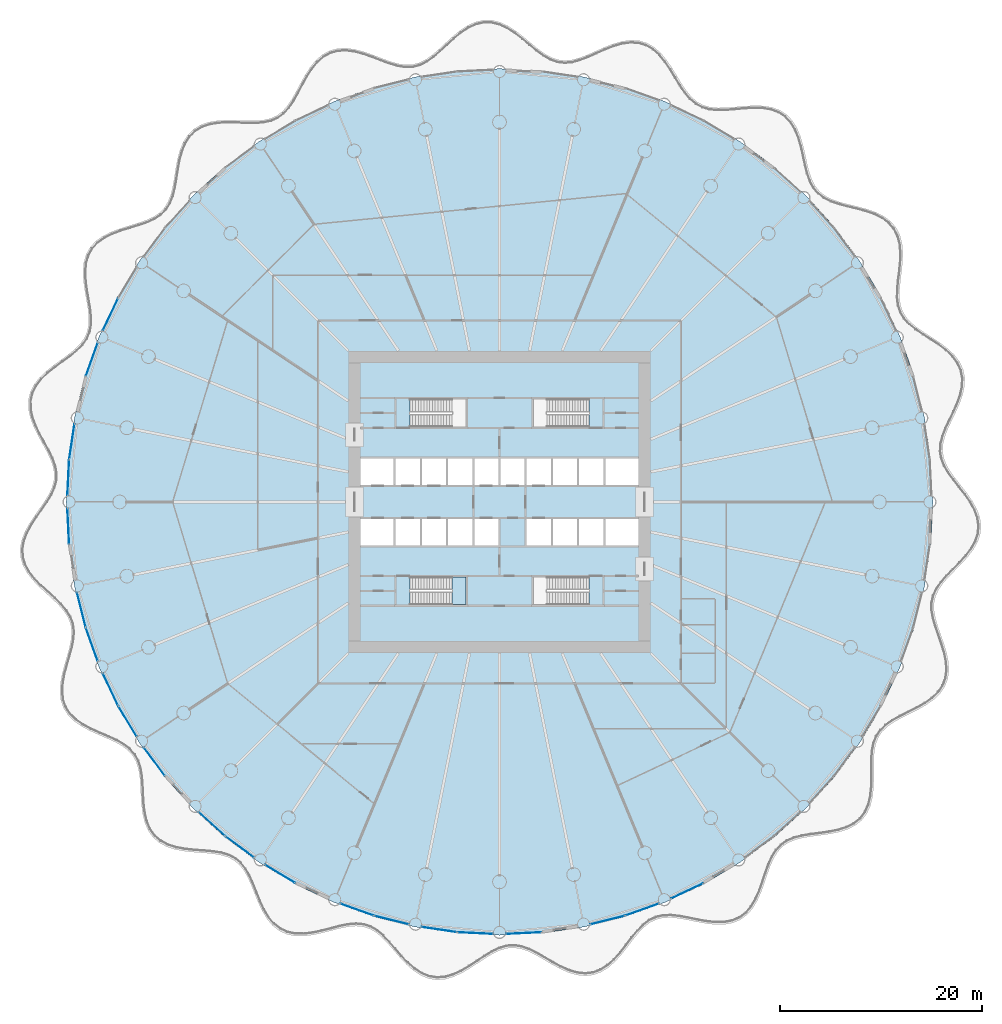
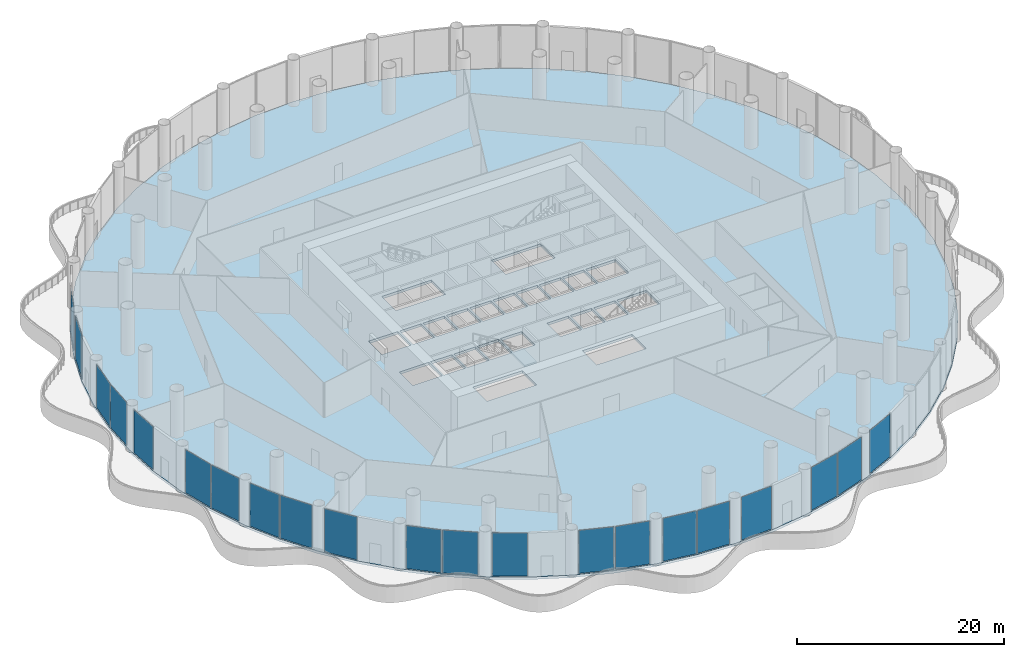
# One storey, part 20 of 37: 21 plates, 2 slabs, 22 elements without a shape of their own.
"""IFC4 building model written with IfcOpenShell, lengths in metres."""

from ifc_helpers import new_model, si_unit, direction, frame, origin, origin_2d, place, context, subcontext, project, spatial, polyline, rectangle, outline, extrude, material, layer, layer_set, type_object, element, aggregate, save


model = new_model("IFC4")

# Units and contexts
model_context = context("Model", 3, precision=1e-05, world=origin(), true_north=direction((0.0, 1.0)))
body_context = subcontext(model_context, "Body", "Model", "MODEL_VIEW")
ifc_project = project(units=[si_unit("LENGTHUNIT", "METRE"), si_unit("AREAUNIT", "SQUARE_METRE"), si_unit("VOLUMEUNIT", "CUBIC_METRE"), si_unit("PLANEANGLEUNIT", "RADIAN"), si_unit("MASSUNIT", "GRAM", prefix="KILO")], contexts=[model_context])

# Site, building, storey
site_placement = place(None, origin())
site = spatial("IfcSite", under=ifc_project, at=site_placement, CompositionType="ELEMENT")
building_placement = place(site_placement, origin())
building = spatial("IfcBuilding", under=site, at=building_placement, Name="Corvane Civic Tower", CompositionType="ELEMENT")
storey_placement = place(building_placement, frame((0.0, 0.0, 11.5)))
storey = spatial("IfcBuildingStorey", under=building, at=storey_placement, Name="L02", CompositionType="ELEMENT", Elevation=11.5)

# Slab
ifc_material_1 = material(Name="Concrete C40/50", Category="concrete")
ifc_layer_1 = layer(ifc_material_1, 0.300048828125)
ifc_layer_set_1 = layer_set([ifc_layer_1], Name="Concrete C40/50")
slab_type_1 = type_object("IfcSlabType", Name="FLOOR SLAB 300", PredefinedType="FLOOR", material=ifc_layer_set_1)
slab_1_placement = place(storey_placement, frame((0.0, 0.0, -0.300048828125)))
element("IfcSlab", 1, at=slab_1_placement, inside=storey, type_object=slab_type_1, Name="SLB-L02", PredefinedType="FLOOR", context=body_context, shape_type="SweptSolid", body=[
    extrude(outline(polyline([(0.0, 43.0), (-4.21484375, 42.79296875), (-8.388916015625, 42.173828125), (-12.482177734375, 41.1484375), (-16.455322265625, 39.726806640625), (-20.27001953125, 37.922607421875), (-23.889404296875, 35.753173828125), (-27.27880859375, 33.239501953125), (-30.405517578125, 30.405517578125), (-33.239501953125, 27.27880859375), (-35.753173828125, 23.889404296875), (-37.922607421875, 20.27001953125), (-39.726806640625, 16.455322265625), (-41.1484375, 12.482177734375), (-42.173828125, 8.388916015625), (-42.79296875, 4.21484375), (-43.0, 0.0), (-42.79296875, -4.21484375), (-42.173828125, -8.388916015625), (-41.1484375, -12.482177734375), (-39.726806640625, -16.455322265625), (-37.922607421875, -20.27001953125), (-35.753173828125, -23.889404296875), (-33.239501953125, -27.27880859375), (-30.405517578125, -30.405517578125), (-27.27880859375, -33.239501953125), (-23.889404296875, -35.753173828125), (-20.27001953125, -37.922607421875), (-16.455322265625, -39.726806640625), (-12.482177734375, -41.1484375), (-8.388916015625, -42.173828125), (-4.21484375, -42.79296875), (0.0, -43.0), (4.21484375, -42.79296875), (8.388916015625, -42.173828125), (12.482177734375, -41.1484375), (16.455322265625, -39.726806640625), (20.27001953125, -37.922607421875), (23.889404296875, -35.753173828125), (27.27880859375, -33.239501953125), (30.405517578125, -30.405517578125), (33.239501953125, -27.27880859375), (35.753173828125, -23.889404296875), (37.922607421875, -20.27001953125), (39.726806640625, -16.455322265625), (41.1484375, -12.482177734375), (42.173828125, -8.388916015625), (42.79296875, -4.21484375), (43.0, 0.0), (42.79296875, 4.21484375), (42.173828125, 8.388916015625), (41.1484375, 12.482177734375), (39.726806640625, 16.455322265625), (37.922607421875, 20.27001953125), (35.753173828125, 23.889404296875), (33.239501953125, 27.27880859375), (30.405517578125, 30.405517578125), (27.27880859375, 33.239501953125), (23.889404296875, 35.753173828125), (20.27001953125, 37.922607421875), (16.455322265625, 39.726806640625), (12.482177734375, 41.1484375), (8.388916015625, 42.173828125), (4.21484375, 42.79296875), (0.0, 43.0)]), holes=[polyline([(-13.800048828125, 4.300048828125), (-10.5, 4.300048828125), (-10.5, 1.699951171875), (-13.800048828125, 1.699951171875), (-13.800048828125, 4.300048828125)]), polyline([(-7.89990234375, 1.699951171875), (-10.300048828125, 1.699951171875), (-10.300048828125, 4.300048828125), (-7.89990234375, 4.300048828125), (-7.89990234375, 1.699951171875)]), polyline([(-7.699951171875, 4.300048828125), (-5.300048828125, 4.300048828125), (-5.300048828125, 1.699951171875), (-7.699951171875, 1.699951171875), (-7.699951171875, 4.300048828125)]), polyline([(-5.10009765625, 4.300048828125), (-2.699951171875, 4.300048828125), (-2.699951171875, 1.699951171875), (-5.10009765625, 1.699951171875), (-5.10009765625, 4.300048828125)]), polyline([(-0.10009765625, 1.699951171875), (-2.5, 1.699951171875), (-2.5, 4.300048828125), (-0.10009765625, 4.300048828125), (-0.10009765625, 1.699951171875)]), polyline([(2.5, 1.699951171875), (0.10009765625, 1.699951171875), (0.10009765625, 4.300048828125), (2.5, 4.300048828125), (2.5, 1.699951171875)]), polyline([(5.10009765625, 1.699951171875), (2.699951171875, 1.699951171875), (2.699951171875, 4.300048828125), (5.10009765625, 4.300048828125), (5.10009765625, 1.699951171875)]), polyline([(5.300048828125, 4.300048828125), (7.699951171875, 4.300048828125), (7.699951171875, 1.699951171875), (5.300048828125, 1.699951171875), (5.300048828125, 4.300048828125)]), polyline([(7.89990234375, 4.300048828125), (10.300048828125, 4.300048828125), (10.300048828125, 1.699951171875), (7.89990234375, 1.699951171875), (7.89990234375, 4.300048828125)]), polyline([(13.800048828125, 1.699951171875), (10.5, 1.699951171875), (10.5, 4.300048828125), (13.800048828125, 4.300048828125), (13.800048828125, 1.699951171875)]), polyline([(-13.800048828125, -1.699951171875), (-10.5, -1.699951171875), (-10.5, -4.300048828125), (-13.800048828125, -4.300048828125), (-13.800048828125, -1.699951171875)]), polyline([(-7.89990234375, -1.699951171875), (-7.89990234375, -4.300048828125), (-10.300048828125, -4.300048828125), (-10.300048828125, -1.699951171875), (-7.89990234375, -1.699951171875)]), polyline([(-5.300048828125, -1.699951171875), (-5.300048828125, -4.300048828125), (-7.699951171875, -4.300048828125), (-7.699951171875, -1.699951171875), (-5.300048828125, -1.699951171875)]), polyline([(-2.699951171875, -1.699951171875), (-2.699951171875, -4.300048828125), (-5.10009765625, -4.300048828125), (-5.10009765625, -1.699951171875), (-2.699951171875, -1.699951171875)]), polyline([(-2.5, -4.300048828125), (-2.5, -1.699951171875), (-0.10009765625, -1.699951171875), (-0.10009765625, -4.300048828125), (-2.5, -4.300048828125)]), polyline([(5.10009765625, -1.699951171875), (5.10009765625, -4.300048828125), (2.699951171875, -4.300048828125), (2.699951171875, -1.699951171875), (5.10009765625, -1.699951171875)]), polyline([(7.699951171875, -1.699951171875), (7.699951171875, -4.300048828125), (5.300048828125, -4.300048828125), (5.300048828125, -1.699951171875), (7.699951171875, -1.699951171875)]), polyline([(10.300048828125, -1.699951171875), (10.300048828125, -4.300048828125), (7.89990234375, -4.300048828125), (7.89990234375, -1.699951171875), (10.300048828125, -1.699951171875)]), polyline([(13.800048828125, -4.300048828125), (10.5, -4.300048828125), (10.5, -1.699951171875), (13.800048828125, -1.699951171875), (13.800048828125, -4.300048828125)]), polyline([(8.889892578125, 10.199951171875), (8.889892578125, 7.449951171875), (3.35009765625, 7.449951171875), (3.35009765625, 10.199951171875), (8.889892578125, 10.199951171875)]), polyline([(-8.889892578125, 7.449951171875), (-8.889892578125, 10.199951171875), (-3.35009765625, 10.199951171875), (-3.35009765625, 7.449951171875), (-8.889892578125, 7.449951171875)]), polyline([(8.889892578125, -7.449951171875), (8.889892578125, -10.199951171875), (3.35009765625, -10.199951171875), (3.35009765625, -7.449951171875), (8.889892578125, -7.449951171875)]), polyline([(-8.889892578125, -10.199951171875), (-8.889892578125, -7.449951171875), (-3.35009765625, -7.449951171875), (-3.35009765625, -10.199951171875), (-8.889892578125, -10.199951171875)])]), origin(), (0.0, 0.0, 1.0), 0.300048828125),
])

# Curtain wall, plate
ifc_material_2 = material(Name="Aluminium and glass", Category="aluminium")
curtain_wall_type = type_object("IfcCurtainWallType", Name="PODIUM-CW-P-RUN", PredefinedType="NOTDEFINED", material=ifc_material_2)
curtain_wall_1_placement = place(storey_placement, origin())
curtain_wall_1 = element("IfcCurtainWall", 2, at=curtain_wall_1_placement, inside=storey, type_object=curtain_wall_type, Name="PODI run L02-drum-14B", PredefinedType="NOTDEFINED")
ifc_material_3 = material(Name="Glass tinted low-e laminated", Category="glass")
ifc_layer_2 = layer(ifc_material_3, 0.031982421875)
ifc_layer_set_2 = layer_set([ifc_layer_2], Name="Glass tinted low-e laminated")
plate_type = type_object("IfcPlateType", Name="PODIUM-CWP-PANEL-IGU32", PredefinedType="CURTAIN_PANEL", material=ifc_layer_set_2)
plate_1_placement = place(storey_placement, frame((18.595458984375, -38.614990234375, 0.06005859375), z_axis=(0.0, 0.0, 1.0), x_axis=(-0.903990222454, -0.42755312852, 0.0)))
plate_1 = element("IfcPlate", 3, at=plate_1_placement, type_object=plate_type, Name="CW-P panel 1.1", PredefinedType="CURTAIN_PANEL", context=body_context, shape_type="SweptSolid", body=[
    extrude(rectangle(XDim=3.4599609375, YDim=0.031982421875, at=origin_2d()), origin(), (0.0, 0.0, 1.0), 5.080078125),
])
aggregate(curtain_wall_1, [plate_1])

curtain_wall_2_placement = place(storey_placement, origin())
curtain_wall_2 = element("IfcCurtainWall", 4, at=curtain_wall_2_placement, inside=storey, type_object=curtain_wall_type, Name="PODI run L02-drum-15A", PredefinedType="NOTDEFINED")
plate_2_placement = place(storey_placement, frame((14.156005859375, -40.453857421875, 0.06005859375), z_axis=(0.0, 0.0, 1.0), x_axis=(-0.941533802561, -0.336918534123, 0.0)))
plate_2 = element("IfcPlate", 5, at=plate_2_placement, type_object=plate_type, Name="CW-P panel 1.1", PredefinedType="CURTAIN_PANEL", context=body_context, shape_type="SweptSolid", body=[
    extrude(rectangle(XDim=3.459716796875, YDim=0.031982421875, at=origin_2d()), origin(), (0.0, 0.0, 1.0), 5.080078125),
])
aggregate(curtain_wall_2, [plate_2])

curtain_wall_3_placement = place(storey_placement, origin())
curtain_wall_3 = element("IfcCurtainWall", 6, at=curtain_wall_3_placement, inside=storey, type_object=curtain_wall_type, Name="PODI run L02-drum-15B", PredefinedType="NOTDEFINED")
plate_3_placement = place(storey_placement, frame((10.70458984375, -41.5009765625, 0.06005859375), z_axis=(0.0, 0.0, 1.0), x_axis=(-0.970024070659, -0.243008852393, 0.0)))
plate_3 = element("IfcPlate", 7, at=plate_3_placement, type_object=plate_type, Name="CW-P panel 1.1", PredefinedType="CURTAIN_PANEL", context=body_context, shape_type="SweptSolid", body=[
    extrude(rectangle(XDim=3.459716796875, YDim=0.031982421875, at=origin_2d()), origin(), (0.0, 0.0, 1.0), 5.080078125),
])
aggregate(curtain_wall_3, [plate_3])

curtain_wall_4_placement = place(storey_placement, origin())
curtain_wall_4 = element("IfcCurtainWall", 8, at=curtain_wall_4_placement, inside=storey, type_object=curtain_wall_type, Name="PODI run L02-drum-16B", PredefinedType="NOTDEFINED")
plate_4_placement = place(storey_placement, frame((2.402587890625, -42.7919921875, 0.06005859375), z_axis=(0.0, 0.0, 1.0), x_axis=(-0.998796316803, -0.04905015332, 0.0)))
plate_4 = element("IfcPlate", 9, at=plate_4_placement, type_object=plate_type, Name="CW-P panel 1.1", PredefinedType="CURTAIN_PANEL", context=body_context, shape_type="SweptSolid", body=[
    extrude(rectangle(XDim=3.4599609375, YDim=0.031982421875, at=origin_2d()), origin(), (0.0, 0.0, 1.0), 5.080078125),
])
aggregate(curtain_wall_4, [plate_4])

curtain_wall_5_placement = place(storey_placement, origin())
curtain_wall_5 = element("IfcCurtainWall", 10, at=curtain_wall_5_placement, inside=storey, type_object=curtain_wall_type, Name="PODI run L02-drum-17A", PredefinedType="NOTDEFINED")
plate_5_placement = place(storey_placement, frame((-2.402587890625, -42.7919921875, 0.06005859375), z_axis=(0.0, 0.0, 1.0), x_axis=(-0.998796316803, 0.04905015332, 0.0)))
plate_5 = element("IfcPlate", 11, at=plate_5_placement, type_object=plate_type, Name="CW-P panel 1.1", PredefinedType="CURTAIN_PANEL", context=body_context, shape_type="SweptSolid", body=[
    extrude(rectangle(XDim=3.4599609375, YDim=0.031982421875, at=origin_2d()), origin(), (0.0, 0.0, 1.0), 5.080078125),
])
aggregate(curtain_wall_5, [plate_5])

curtain_wall_6_placement = place(storey_placement, origin())
curtain_wall_6 = element("IfcCurtainWall", 12, at=curtain_wall_6_placement, inside=storey, type_object=curtain_wall_type, Name="PODI run L02-drum-17B", PredefinedType="NOTDEFINED")
plate_6_placement = place(storey_placement, frame((-5.991943359375, -42.4384765625, 0.06005859375), z_axis=(0.0, 0.0, 1.0), x_axis=(-0.989178850608, 0.146714694252, 0.0)))
plate_6 = element("IfcPlate", 13, at=plate_6_placement, type_object=plate_type, Name="CW-P panel 1.1", PredefinedType="CURTAIN_PANEL", context=body_context, shape_type="SweptSolid", body=[
    extrude(rectangle(XDim=3.459716796875, YDim=0.031982421875, at=origin_2d()), origin(), (0.0, 0.0, 1.0), 5.080078125),
])
aggregate(curtain_wall_6, [plate_6])

curtain_wall_7_placement = place(storey_placement, origin())
curtain_wall_7 = element("IfcCurtainWall", 14, at=curtain_wall_7_placement, inside=storey, type_object=curtain_wall_type, Name="PODI run L02-drum-18A", PredefinedType="NOTDEFINED")
plate_7_placement = place(storey_placement, frame((-10.70458984375, -41.5009765625, 0.06005859375), z_axis=(0.0, 0.0, 1.0), x_axis=(-0.970024070659, 0.243008852393, 0.0)))
plate_7 = element("IfcPlate", 15, at=plate_7_placement, type_object=plate_type, Name="CW-P panel 1.1", PredefinedType="CURTAIN_PANEL", context=body_context, shape_type="SweptSolid", body=[
    extrude(rectangle(XDim=3.459716796875, YDim=0.031982421875, at=origin_2d()), origin(), (0.0, 0.0, 1.0), 5.080078125),
])
aggregate(curtain_wall_7, [plate_7])

curtain_wall_8_placement = place(storey_placement, origin())
curtain_wall_8 = element("IfcCurtainWall", 16, at=curtain_wall_8_placement, inside=storey, type_object=curtain_wall_type, Name="PODI run L02-drum-18B", PredefinedType="NOTDEFINED")
plate_8_placement = place(storey_placement, frame((-14.156005859375, -40.453857421875, 0.06005859375), z_axis=(0.0, 0.0, 1.0), x_axis=(-0.941533802561, 0.336918534123, 0.0)))
plate_8 = element("IfcPlate", 17, at=plate_8_placement, type_object=plate_type, Name="CW-P panel 1.1", PredefinedType="CURTAIN_PANEL", context=body_context, shape_type="SweptSolid", body=[
    extrude(rectangle(XDim=3.459716796875, YDim=0.031982421875, at=origin_2d()), origin(), (0.0, 0.0, 1.0), 5.080078125),
])
aggregate(curtain_wall_8, [plate_8])

curtain_wall_9_placement = place(storey_placement, origin())
curtain_wall_9 = element("IfcCurtainWall", 18, at=curtain_wall_9_placement, inside=storey, type_object=curtain_wall_type, Name="PODI run L02-drum-19B", PredefinedType="NOTDEFINED")
plate_9_placement = place(storey_placement, frame((-21.776123046875, -36.914794921875, 0.06005859375), z_axis=(0.0, 0.0, 1.0), x_axis=(-0.857719609779, 0.514117759857, 0.0)))
plate_9 = element("IfcPlate", 19, at=plate_9_placement, type_object=plate_type, Name="CW-P panel 1.1", PredefinedType="CURTAIN_PANEL", context=body_context, shape_type="SweptSolid", body=[
    extrude(rectangle(XDim=3.459716796875, YDim=0.031982421875, at=origin_2d()), origin(), (0.0, 0.0, 1.0), 5.080078125),
])
aggregate(curtain_wall_9, [plate_9])

curtain_wall_10_placement = place(storey_placement, origin())
curtain_wall_10 = element("IfcCurtainWall", 20, at=curtain_wall_10_placement, inside=storey, type_object=curtain_wall_type, Name="PODI run L02-drum-20A", PredefinedType="NOTDEFINED")
plate_10_placement = place(storey_placement, frame((-25.771484375, -34.245361328125, 0.06005859375), z_axis=(0.0, 0.0, 1.0), x_axis=(-0.803203229747, 0.595705104665, 0.0)))
plate_10 = element("IfcPlate", 21, at=plate_10_placement, type_object=plate_type, Name="CW-P panel 1.1", PredefinedType="CURTAIN_PANEL", context=body_context, shape_type="SweptSolid", body=[
    extrude(rectangle(XDim=3.459716796875, YDim=0.031982421875, at=origin_2d()), origin(), (0.0, 0.0, 1.0), 5.080078125),
])
aggregate(curtain_wall_10, [plate_10])

curtain_wall_11_placement = place(storey_placement, origin())
curtain_wall_11 = element("IfcCurtainWall", 22, at=curtain_wall_11_placement, inside=storey, type_object=curtain_wall_type, Name="PODI run L02-drum-20B", PredefinedType="NOTDEFINED")
plate_11_placement = place(storey_placement, frame((-28.5595703125, -31.957275390625, 0.06005859375), z_axis=(0.0, 0.0, 1.0), x_axis=(-0.740935261089, 0.671576457952, 0.0)))
plate_11 = element("IfcPlate", 23, at=plate_11_placement, type_object=plate_type, Name="CW-P panel 1.1", PredefinedType="CURTAIN_PANEL", context=body_context, shape_type="SweptSolid", body=[
    extrude(rectangle(XDim=3.4599609375, YDim=0.031982421875, at=origin_2d()), origin(), (0.0, 0.0, 1.0), 5.080078125),
])
aggregate(curtain_wall_11, [plate_11])

curtain_wall_12_placement = place(storey_placement, origin())
curtain_wall_12 = element("IfcCurtainWall", 24, at=curtain_wall_12_placement, inside=storey, type_object=curtain_wall_type, Name="PODI run L02-drum-21B", PredefinedType="NOTDEFINED")
plate_12_placement = place(storey_placement, frame((-34.245361328125, -25.771484375, 0.06005859375), z_axis=(0.0, 0.0, 1.0), x_axis=(-0.595705104665, 0.803203229747, 0.0)))
plate_12 = element("IfcPlate", 25, at=plate_12_placement, type_object=plate_type, Name="CW-P panel 1.1", PredefinedType="CURTAIN_PANEL", context=body_context, shape_type="SweptSolid", body=[
    extrude(rectangle(XDim=3.459716796875, YDim=0.031982421875, at=origin_2d()), origin(), (0.0, 0.0, 1.0), 5.080078125),
])
aggregate(curtain_wall_12, [plate_12])

curtain_wall_13_placement = place(storey_placement, origin())
curtain_wall_13 = element("IfcCurtainWall", 26, at=curtain_wall_13_placement, inside=storey, type_object=curtain_wall_type, Name="PODI run L02-drum-22A", PredefinedType="NOTDEFINED")
plate_13_placement = place(storey_placement, frame((-36.914794921875, -21.776123046875, 0.06005859375), z_axis=(0.0, 0.0, 1.0), x_axis=(-0.514117759857, 0.857719609779, 0.0)))
plate_13 = element("IfcPlate", 27, at=plate_13_placement, type_object=plate_type, Name="CW-P panel 1.1", PredefinedType="CURTAIN_PANEL", context=body_context, shape_type="SweptSolid", body=[
    extrude(rectangle(XDim=3.459716796875, YDim=0.031982421875, at=origin_2d()), origin(), (0.0, 0.0, 1.0), 5.080078125),
])
aggregate(curtain_wall_13, [plate_13])

curtain_wall_14_placement = place(storey_placement, origin())
curtain_wall_14 = element("IfcCurtainWall", 28, at=curtain_wall_14_placement, inside=storey, type_object=curtain_wall_type, Name="PODI run L02-drum-22B", PredefinedType="NOTDEFINED")
plate_14_placement = place(storey_placement, frame((-38.614990234375, -18.595458984375, 0.06005859375), z_axis=(0.0, 0.0, 1.0), x_axis=(-0.42755312852, 0.903990222454, 0.0)))
plate_14 = element("IfcPlate", 29, at=plate_14_placement, type_object=plate_type, Name="CW-P panel 1.1", PredefinedType="CURTAIN_PANEL", context=body_context, shape_type="SweptSolid", body=[
    extrude(rectangle(XDim=3.4599609375, YDim=0.031982421875, at=origin_2d()), origin(), (0.0, 0.0, 1.0), 5.080078125),
])
aggregate(curtain_wall_14, [plate_14])

curtain_wall_15_placement = place(storey_placement, origin())
curtain_wall_15 = element("IfcCurtainWall", 30, at=curtain_wall_15_placement, inside=storey, type_object=curtain_wall_type, Name="PODI run L02-drum-23A", PredefinedType="NOTDEFINED")
plate_15_placement = place(storey_placement, frame((-40.453857421875, -14.156005859375, 0.06005859375), z_axis=(0.0, 0.0, 1.0), x_axis=(-0.336918534123, 0.941533802561, 0.0)))
plate_15 = element("IfcPlate", 31, at=plate_15_placement, type_object=plate_type, Name="CW-P panel 1.1", PredefinedType="CURTAIN_PANEL", context=body_context, shape_type="SweptSolid", body=[
    extrude(rectangle(XDim=3.459716796875, YDim=0.031982421875, at=origin_2d()), origin(), (0.0, 0.0, 1.0), 5.080078125),
])
aggregate(curtain_wall_15, [plate_15])

curtain_wall_16_placement = place(storey_placement, origin())
curtain_wall_16 = element("IfcCurtainWall", 32, at=curtain_wall_16_placement, inside=storey, type_object=curtain_wall_type, Name="PODI run L02-drum-23B", PredefinedType="NOTDEFINED")
plate_16_placement = place(storey_placement, frame((-41.5009765625, -10.70458984375, 0.06005859375), z_axis=(0.0, 0.0, 1.0), x_axis=(-0.243008852393, 0.970024070659, 0.0)))
plate_16 = element("IfcPlate", 33, at=plate_16_placement, type_object=plate_type, Name="CW-P panel 1.1", PredefinedType="CURTAIN_PANEL", context=body_context, shape_type="SweptSolid", body=[
    extrude(rectangle(XDim=3.459716796875, YDim=0.031982421875, at=origin_2d()), origin(), (0.0, 0.0, 1.0), 5.080078125),
])
aggregate(curtain_wall_16, [plate_16])

curtain_wall_17_placement = place(storey_placement, origin())
curtain_wall_17 = element("IfcCurtainWall", 34, at=curtain_wall_17_placement, inside=storey, type_object=curtain_wall_type, Name="PODI run L02-drum-24B", PredefinedType="NOTDEFINED")
plate_17_placement = place(storey_placement, frame((-42.7919921875, -2.402587890625, 0.06005859375), z_axis=(0.0, 0.0, 1.0), x_axis=(-0.04905015332, 0.998796316803, 0.0)))
plate_17 = element("IfcPlate", 35, at=plate_17_placement, type_object=plate_type, Name="CW-P panel 1.1", PredefinedType="CURTAIN_PANEL", context=body_context, shape_type="SweptSolid", body=[
    extrude(rectangle(XDim=3.4599609375, YDim=0.031982421875, at=origin_2d()), origin(), (0.0, 0.0, 1.0), 5.080078125),
])
aggregate(curtain_wall_17, [plate_17])

curtain_wall_18_placement = place(storey_placement, origin())
curtain_wall_18 = element("IfcCurtainWall", 36, at=curtain_wall_18_placement, inside=storey, type_object=curtain_wall_type, Name="PODI run L02-drum-25A", PredefinedType="NOTDEFINED")
plate_18_placement = place(storey_placement, frame((-42.7919921875, 2.402587890625, 0.06005859375), z_axis=(0.0, 0.0, 1.0), x_axis=(0.04905015332, 0.998796316803, 0.0)))
plate_18 = element("IfcPlate", 37, at=plate_18_placement, type_object=plate_type, Name="CW-P panel 1.1", PredefinedType="CURTAIN_PANEL", context=body_context, shape_type="SweptSolid", body=[
    extrude(rectangle(XDim=3.4599609375, YDim=0.031982421875, at=origin_2d()), origin(), (0.0, 0.0, 1.0), 5.080078125),
])
aggregate(curtain_wall_18, [plate_18])

curtain_wall_19_placement = place(storey_placement, origin())
curtain_wall_19 = element("IfcCurtainWall", 38, at=curtain_wall_19_placement, inside=storey, type_object=curtain_wall_type, Name="PODI run L02-drum-25B", PredefinedType="NOTDEFINED")
plate_19_placement = place(storey_placement, frame((-42.4384765625, 5.991943359375, 0.06005859375), z_axis=(0.0, 0.0, 1.0), x_axis=(0.146714694252, 0.989178850608, 0.0)))
plate_19 = element("IfcPlate", 39, at=plate_19_placement, type_object=plate_type, Name="CW-P panel 1.1", PredefinedType="CURTAIN_PANEL", context=body_context, shape_type="SweptSolid", body=[
    extrude(rectangle(XDim=3.459716796875, YDim=0.031982421875, at=origin_2d()), origin(), (0.0, 0.0, 1.0), 5.080078125),
])
aggregate(curtain_wall_19, [plate_19])

curtain_wall_20_placement = place(storey_placement, origin())
curtain_wall_20 = element("IfcCurtainWall", 40, at=curtain_wall_20_placement, inside=storey, type_object=curtain_wall_type, Name="PODI run L02-drum-26B", PredefinedType="NOTDEFINED")
plate_20_placement = place(storey_placement, frame((-40.453857421875, 14.156005859375, 0.06005859375), z_axis=(0.0, 0.0, 1.0), x_axis=(0.336918534123, 0.941533802561, 0.0)))
plate_20 = element("IfcPlate", 41, at=plate_20_placement, type_object=plate_type, Name="CW-P panel 1.1", PredefinedType="CURTAIN_PANEL", context=body_context, shape_type="SweptSolid", body=[
    extrude(rectangle(XDim=3.459716796875, YDim=0.031982421875, at=origin_2d()), origin(), (0.0, 0.0, 1.0), 5.080078125),
])
aggregate(curtain_wall_20, [plate_20])

curtain_wall_21_placement = place(storey_placement, origin())
curtain_wall_21 = element("IfcCurtainWall", 42, at=curtain_wall_21_placement, inside=storey, type_object=curtain_wall_type, Name="PODI run L02-drum-27A", PredefinedType="NOTDEFINED")
plate_21_placement = place(storey_placement, frame((-38.614990234375, 18.595458984375, 0.06005859375), z_axis=(0.0, 0.0, 1.0), x_axis=(0.42755312852, 0.903990222454, 0.0)))
plate_21 = element("IfcPlate", 43, at=plate_21_placement, type_object=plate_type, Name="CW-P panel 1.1", PredefinedType="CURTAIN_PANEL", context=body_context, shape_type="SweptSolid", body=[
    extrude(rectangle(XDim=3.4599609375, YDim=0.031982421875, at=origin_2d()), origin(), (0.0, 0.0, 1.0), 5.080078125),
])
aggregate(curtain_wall_21, [plate_21])

# Stair, slab
ifc_material_4 = material(Name="Concrete C40/50", Category="concrete")
stair_type = type_object("IfcStairType", Name="ST-STAIR-HALFTURN", PredefinedType="HALF_TURN_STAIR", material=ifc_material_4)
stair_placement = place(storey_placement, origin())
stair = element("IfcStair", 44, at=stair_placement, inside=storey, type_object=stair_type, Name="L02 Exit stair ST3", PredefinedType="HALF_TURN_STAIR")
ifc_material_5 = material(Name="Concrete C40/50", Category="concrete")
ifc_layer_3 = layer(ifc_material_5, 0.199951171875)
ifc_layer_set_3 = layer_set([ifc_layer_3], Name="Concrete C40/50")
slab_type_2 = type_object("IfcSlabType", Name="ST-LANDING-RC", PredefinedType="LANDING", material=ifc_layer_set_3)
slab_2_placement = place(storey_placement, frame((0.0, 0.0, 2.550048828125)))
slab_2 = element("IfcSlab", 45, at=slab_2_placement, type_object=slab_type_2, Name="ST3 landing 1", PredefinedType="LANDING", context=body_context, shape_type="SweptSolid", body=[
    extrude(outline(polyline([(-4.699951171875, -10.199951171875), (-3.35009765625, -10.199951171875), (-3.35009765625, -7.449951171875), (-4.699951171875, -7.449951171875), (-4.699951171875, -10.199951171875)])), origin(), (0.0, 0.0, 1.0), 0.199951171875),
])
aggregate(stair, [slab_2])

save(model, "model.ifc")
